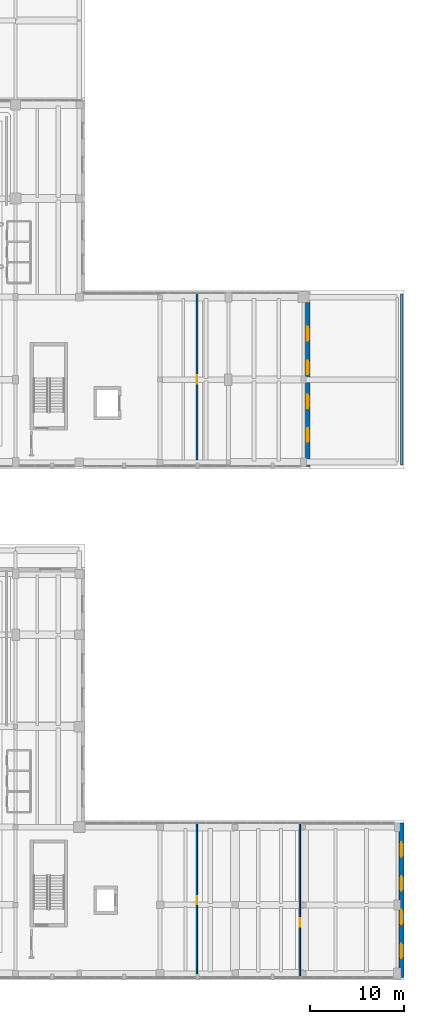
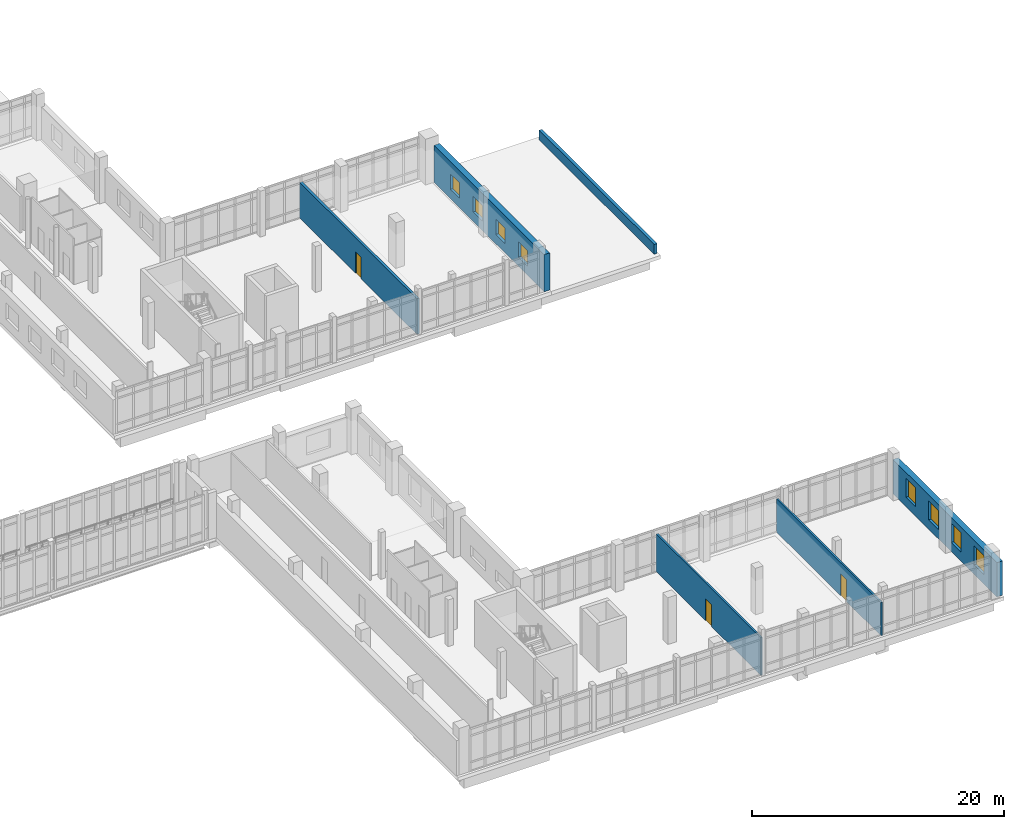
# One storey, part 73 of 89: 8 windows, 6 walls, 3 doors, 11 openings.
"""IFC4 building model written with IfcOpenShell, lengths in metres."""

from ifc_helpers import new_model, si_unit, direction, frame, frame_2d, origin, place, context, subcontext, project, spatial, rectangle, extrude, material, layer, layer_set, type_object, element, fill, save


model = new_model("IFC4")

# Units and contexts
model_context = context("Model", 3, precision=1e-05, world=origin(), true_north=direction((0.0, 1.0)))
body_context = subcontext(model_context, "Body", "Model", "MODEL_VIEW")
ifc_project = project(units=[si_unit("LENGTHUNIT", "METRE"), si_unit("AREAUNIT", "SQUARE_METRE"), si_unit("VOLUMEUNIT", "CUBIC_METRE"), si_unit("PLANEANGLEUNIT", "RADIAN"), si_unit("MASSUNIT", "GRAM", prefix="KILO")], contexts=[model_context])

# Site, building, storey
site_placement = place(None, origin())
site = spatial("IfcSite", under=ifc_project, at=site_placement, CompositionType="ELEMENT")
building_placement = place(site_placement, origin())
building = spatial("IfcBuilding", under=site, at=building_placement, Name="Soyqirgoq Riverine Aquarium", CompositionType="ELEMENT")
storey_placement = place(building_placement, frame((0.0, 0.0, 5.39990234375)))
storey = spatial("IfcBuildingStorey", under=building, at=storey_placement, Name="L02", CompositionType="ELEMENT", Elevation=5.39990234375)

# Wall
ifc_material_1 = material(Name="Precast concrete C40/50", Category="concrete")
ifc_layer_1 = layer(ifc_material_1, 0.280029296875)
ifc_layer_set_1 = layer_set([ifc_layer_1], Name="Precast concrete C40/50")
wall_type_1 = type_object("IfcWallType", Name="ParapetWall_280", PredefinedType="PARAPET", material=ifc_layer_set_1)
wall_1_placement = place(storey_placement, frame((163.780029296875, 74.6201171875, 0.0), z_axis=(0.0, 0.0, 1.0), x_axis=(0.0, -1.0, 0.0)))
element("IfcWall", 1, at=wall_1_placement, inside=storey, type_object=wall_type_1, Name="L02 Roof Parapet Upstand 007", PredefinedType="PARAPET", context=body_context, shape_type="SweptSolid", body=[
    extrude(rectangle(XDim=18.240234375, YDim=0.280029296875, at=frame_2d((9.1201171875, 0.0))), origin(), (0.0, 0.0, 1.0), 0.9501953125),
])

# Wall, opening, door
ifc_material_2 = material(Name="Fire-rated acoustic gypsum stud partition", Category="gypsum")
ifc_layer_2 = layer(ifc_material_2, 0.159912109375)
ifc_layer_set_2 = layer_set([ifc_layer_2], Name="Fire-rated acoustic gypsum stud partition")
wall_type_2 = type_object("IfcWallType", Name="PartitionWall_160_EI60", PredefinedType="PARTITIONING", material=ifc_layer_set_2)
wall_2_placement = place(storey_placement, frame((141.919921875, 1.699951171875, 0.0), z_axis=(0.0, 0.0, 1.0), x_axis=(0.0, 1.0, 0.0)))
wall_2 = element("IfcWall", 2, at=wall_2_placement, inside=storey, type_object=wall_type_2, Name="Discovery Classroom Partition Wall", PredefinedType="PARTITIONING", context=body_context, shape_type="SweptSolid", body=[
    extrude(rectangle(XDim=16.60009765625, YDim=0.159912109375, at=frame_2d((8.300048828125, 0.0))), origin(), (0.0, 0.0, 1.0), 3.66015625),
])
opening_1_placement = place(wall_2_placement, frame((7.85009765625, 0.0, 0.0)))
opening_1 = element("IfcOpeningElement", 3, at=opening_1_placement, cuts=wall_2, Name="Opening RD-01", PredefinedType="OPENING", context=body_context, shape_type="SweptSolid", body=[
    extrude(rectangle(XDim=0.89990234375, YDim=2.10009765625, at=frame_2d((0.449951171875, 1.050048828125))), frame((0.0, 0.08984375, 0.0), z_axis=(0.0, -1.0, 0.0), x_axis=(1.0, 0.0, 0.0)), (0.0, 0.0, 1.0), 0.179931640625),
])
ifc_material_3 = material(Name="Flush steel service riser fire door", Category="steel")
door_type = type_object("IfcDoorType", Name="RiserAccessDoor_900x2100_EI60", OperationType="NOTDEFINED", PredefinedType="DOOR", material=ifc_material_3)
door_1_placement = place(opening_1_placement, origin())
door_1 = element("IfcDoor", 4, at=door_1_placement, inside=storey, type_object=door_type, Name="IDR-V6-L02-0193 Wet Teaching Laboratory Access Door", OperationType="SINGLE_SWING_RIGHT", OverallHeight=2.10009765625, OverallWidth=0.89990234375, PredefinedType="DOOR", context=body_context, shape_type="SweptSolid", body=[
    extrude(rectangle(XDim=0.89990234375, YDim=2.10009765625, at=frame_2d((0.449951171875, 1.050048828125))), frame((0.0, 0.02490234375, 0.0), z_axis=(0.0, -1.0, 0.0), x_axis=(1.0, 0.0, 0.0)), (0.0, 0.0, 1.0), 0.050048828125),
])
fill(opening_1, door_1)

wall_3_placement = place(storey_placement, frame((152.919921875, 1.699951171875, 0.0), z_axis=(0.0, 0.0, 1.0), x_axis=(0.0, 1.0, 0.0)))
wall_3 = element("IfcWall", 5, at=wall_3_placement, inside=storey, type_object=wall_type_2, Name="Wet Teaching Laboratory Partition Wall", PredefinedType="PARTITIONING", context=body_context, shape_type="SweptSolid", body=[
    extrude(rectangle(XDim=16.60009765625, YDim=0.159912109375, at=frame_2d((8.300048828125, 0.0))), origin(), (0.0, 0.0, 1.0), 3.210205078125),
])
opening_2_placement = place(wall_3_placement, frame((5.4951171875, 0.0, 0.0)))
opening_2 = element("IfcOpeningElement", 6, at=opening_2_placement, cuts=wall_3, Name="Opening RD-01", PredefinedType="OPENING", context=body_context, shape_type="SweptSolid", body=[
    extrude(rectangle(XDim=0.89990234375, YDim=2.10009765625, at=frame_2d((0.449951171875, 1.050048828125))), frame((0.0, 0.08984375, 0.0), z_axis=(0.0, -1.0, 0.0), x_axis=(1.0, 0.0, 0.0)), (0.0, 0.0, 1.0), 0.179931640625),
])
door_2_placement = place(opening_2_placement, origin())
door_2 = element("IfcDoor", 7, at=door_2_placement, inside=storey, type_object=door_type, Name="IDR-V6-L02-0195 Youth Conservation Studio Access Door", OperationType="SINGLE_SWING_RIGHT", OverallHeight=2.10009765625, OverallWidth=0.89990234375, PredefinedType="DOOR", context=body_context, shape_type="SweptSolid", body=[
    extrude(rectangle(XDim=0.89990234375, YDim=2.10009765625, at=frame_2d((0.449951171875, 1.050048828125))), frame((0.0, 0.02490234375, 0.0), z_axis=(0.0, -1.0, 0.0), x_axis=(1.0, 0.0, 0.0)), (0.0, 0.0, 1.0), 0.050048828125),
])
fill(opening_2, door_2)

ifc_material_4 = material(Name="Fire-rated masonry shaft wall", Category="masonry")
ifc_layer_3 = layer(ifc_material_4, 0.219970703125)
ifc_layer_set_3 = layer_set([ifc_layer_3], Name="Fire-rated masonry shaft wall")
wall_type_3 = type_object("IfcWallType", Name="RiserShaftWall_220_EI120", PredefinedType="SOLIDWALL", material=ifc_layer_set_3)
wall_4_placement = place(storey_placement, frame((141.919921875, 56.199951171875, 0.0), z_axis=(0.0, 0.0, 1.0), x_axis=(0.0, 1.0, 0.0)))
wall_4 = element("IfcWall", 8, at=wall_4_placement, inside=storey, type_object=wall_type_3, Name="Marine Fish Quarantine Tank Room Partition Wall", PredefinedType="SOLIDWALL", context=body_context, shape_type="SweptSolid", body=[
    extrude(rectangle(XDim=18.60009765625, YDim=0.219970703125, at=frame_2d((9.300048828125, 0.0))), origin(), (0.0, 0.0, 1.0), 3.440185546875),
])
opening_3_placement = place(wall_4_placement, frame((8.85009765625, 0.0, 0.0)))
opening_3 = element("IfcOpeningElement", 9, at=opening_3_placement, cuts=wall_4, Name="Opening RD-01", PredefinedType="OPENING", context=body_context, shape_type="SweptSolid", body=[
    extrude(rectangle(XDim=0.89990234375, YDim=2.10009765625, at=frame_2d((0.449951171875, 1.050048828125))), frame((0.0, 0.1201171875, 0.0), z_axis=(0.0, -1.0, 0.0), x_axis=(1.0, 0.0, 0.0)), (0.0, 0.0, 1.0), 0.239990234375),
])
door_3_placement = place(opening_3_placement, origin())
door_3 = element("IfcDoor", 10, at=door_3_placement, inside=storey, type_object=door_type, Name="IDR-V7-L02-0231 Invertebrate Isolation Room Access Door", OperationType="SINGLE_SWING_LEFT", OverallHeight=2.10009765625, OverallWidth=0.89990234375, PredefinedType="DOOR", context=body_context, shape_type="SweptSolid", body=[
    extrude(rectangle(XDim=0.89990234375, YDim=2.10009765625, at=frame_2d((0.449951171875, 1.050048828125))), frame((0.0, 0.02490234375, 0.0), z_axis=(0.0, -1.0, 0.0), x_axis=(1.0, 0.0, 0.0)), (0.0, 0.0, 1.0), 0.050048828125),
])
fill(opening_3, door_3)

# Wall, openings, windows
ifc_material_5 = material(Name="Honed travertine limestone cavity wall", Category="masonry")
ifc_layer_4 = layer(ifc_material_5, 0.52001953125)
ifc_layer_set_4 = layer_set([ifc_layer_4], Name="Honed travertine limestone cavity wall")
wall_type_4 = type_object("IfcWallType", Name="TravertineCavityWall_520", PredefinedType="SOLIDWALL", material=ifc_layer_set_4)
wall_5_placement = place(storey_placement, frame((163.75, 18.25, 0.0), z_axis=(0.0, 0.0, 1.0), x_axis=(0.0, -1.0, 0.0)))
wall_5 = element("IfcWall", 11, at=wall_5_placement, inside=storey, type_object=wall_type_4, Name="V6 L02 Exterior Travertine Wall 0356", PredefinedType="SOLIDWALL", context=body_context, shape_type="SweptSolid", body=[
    extrude(rectangle(XDim=16.5, YDim=0.52001953125, at=frame_2d((8.25, 0.0))), origin(), (0.0, 0.0, 1.0), 3.31005859375),
])
opening_4_placement = place(wall_5_placement, frame((2.074951171875, 0.0, 0.89990234375)))
opening_4 = element("IfcOpeningElement", 12, at=opening_4_placement, cuts=wall_5, Name="Opening WN-18", PredefinedType="OPENING", context=body_context, shape_type="SweptSolid", body=[
    extrude(rectangle(XDim=1.550048828125, YDim=1.85009765625, at=frame_2d((0.77490234375, 0.925048828125))), frame((0.0, 0.27001953125, 0.0), z_axis=(0.0, -1.0, 0.0), x_axis=(1.0, 0.0, 0.0)), (0.0, 0.0, 1.0), 0.5400390625),
])
opening_5_placement = place(wall_5_placement, frame((5.675048828125, 0.0, 0.89990234375)))
opening_5 = element("IfcOpeningElement", 13, at=opening_5_placement, cuts=wall_5, Name="Opening WN-18", PredefinedType="OPENING", context=body_context, shape_type="SweptSolid", body=[
    extrude(rectangle(XDim=1.550048828125, YDim=1.85009765625, at=frame_2d((0.77490234375, 0.925048828125))), frame((0.0, 0.27001953125, 0.0), z_axis=(0.0, -1.0, 0.0), x_axis=(1.0, 0.0, 0.0)), (0.0, 0.0, 1.0), 0.5400390625),
])
opening_6_placement = place(wall_5_placement, frame((9.27490234375, 0.0, 0.89990234375)))
opening_6 = element("IfcOpeningElement", 14, at=opening_6_placement, cuts=wall_5, Name="Opening WN-18", PredefinedType="OPENING", context=body_context, shape_type="SweptSolid", body=[
    extrude(rectangle(XDim=1.550048828125, YDim=1.85009765625, at=frame_2d((0.77490234375, 0.925048828125))), frame((0.0, 0.27001953125, 0.0), z_axis=(0.0, -1.0, 0.0), x_axis=(1.0, 0.0, 0.0)), (0.0, 0.0, 1.0), 0.5400390625),
])
opening_7_placement = place(wall_5_placement, frame((12.875, 0.0, 0.89990234375)))
opening_7 = element("IfcOpeningElement", 15, at=opening_7_placement, cuts=wall_5, Name="Opening WN-18", PredefinedType="OPENING", context=body_context, shape_type="SweptSolid", body=[
    extrude(rectangle(XDim=1.550048828125, YDim=1.85009765625, at=frame_2d((0.77490234375, 0.925048828125))), frame((0.0, 0.27001953125, 0.0), z_axis=(0.0, -1.0, 0.0), x_axis=(1.0, 0.0, 0.0)), (0.0, 0.0, 1.0), 0.5400390625),
])
ifc_material_6 = material(Name="Thermally broken aluminium triple low-E window", Category="aluminium")
window_type_1 = type_object("IfcWindowType", Name="Win_Office_1550x1850", PartitioningType="DOUBLE_PANEL_VERTICAL", PredefinedType="WINDOW", material=ifc_material_6)
window_1_placement = place(opening_4_placement, origin())
window_1 = element("IfcWindow", 16, at=window_1_placement, inside=storey, type_object=window_type_1, Name="V6 L02 Facade Window 0290", OverallHeight=1.85009765625, OverallWidth=1.550048828125, PartitioningType="DOUBLE_PANEL_VERTICAL", PredefinedType="WINDOW", context=body_context, shape_type="SweptSolid", body=[
    extrude(rectangle(XDim=1.550048828125, YDim=1.85009765625, at=frame_2d((0.77490234375, 0.925048828125))), frame((0.0, 0.030029296875, 0.0), z_axis=(0.0, -1.0, 0.0), x_axis=(1.0, 0.0, 0.0)), (0.0, 0.0, 1.0), 0.06005859375),
])
fill(opening_4, window_1)
window_2_placement = place(opening_5_placement, origin())
window_2 = element("IfcWindow", 17, at=window_2_placement, inside=storey, type_object=window_type_1, Name="V6 L02 Facade Window 0291", OverallHeight=1.85009765625, OverallWidth=1.550048828125, PartitioningType="DOUBLE_PANEL_VERTICAL", PredefinedType="WINDOW", context=body_context, shape_type="SweptSolid", body=[
    extrude(rectangle(XDim=1.550048828125, YDim=1.85009765625, at=frame_2d((0.77490234375, 0.925048828125))), frame((0.0, 0.030029296875, 0.0), z_axis=(0.0, -1.0, 0.0), x_axis=(1.0, 0.0, 0.0)), (0.0, 0.0, 1.0), 0.06005859375),
])
fill(opening_5, window_2)
window_3_placement = place(opening_6_placement, origin())
window_3 = element("IfcWindow", 18, at=window_3_placement, inside=storey, type_object=window_type_1, Name="V6 L02 Facade Window 0292", OverallHeight=1.85009765625, OverallWidth=1.550048828125, PartitioningType="DOUBLE_PANEL_VERTICAL", PredefinedType="WINDOW", context=body_context, shape_type="SweptSolid", body=[
    extrude(rectangle(XDim=1.550048828125, YDim=1.85009765625, at=frame_2d((0.77490234375, 0.925048828125))), frame((0.0, 0.030029296875, 0.0), z_axis=(0.0, -1.0, 0.0), x_axis=(1.0, 0.0, 0.0)), (0.0, 0.0, 1.0), 0.06005859375),
])
fill(opening_6, window_3)
window_4_placement = place(opening_7_placement, origin())
window_4 = element("IfcWindow", 19, at=window_4_placement, inside=storey, type_object=window_type_1, Name="V6 L02 Facade Window 0293", OverallHeight=1.85009765625, OverallWidth=1.550048828125, PartitioningType="DOUBLE_PANEL_VERTICAL", PredefinedType="WINDOW", context=body_context, shape_type="SweptSolid", body=[
    extrude(rectangle(XDim=1.550048828125, YDim=1.85009765625, at=frame_2d((0.77490234375, 0.925048828125))), frame((0.0, 0.030029296875, 0.0), z_axis=(0.0, -1.0, 0.0), x_axis=(1.0, 0.0, 0.0)), (0.0, 0.0, 1.0), 0.06005859375),
])
fill(opening_7, window_4)

wall_6_placement = place(storey_placement, frame((153.75, 73.72998046875, 0.0), z_axis=(0.0, 0.0, 1.0), x_axis=(0.0, -1.0, 0.0)))
wall_6 = element("IfcWall", 20, at=wall_6_placement, inside=storey, type_object=wall_type_4, Name="V7 L02 Exterior Travertine Wall 0387", PredefinedType="SOLIDWALL", context=body_context, shape_type="SweptSolid", body=[
    extrude(rectangle(XDim=17.47998046875, YDim=0.52001953125, at=frame_2d((8.739990234375, 0.0))), origin(), (0.0, 0.0, 1.0), 3.590087890625),
])
opening_8_placement = place(wall_6_placement, frame((2.614990234375, 0.0, 0.89990234375)))
opening_8 = element("IfcOpeningElement", 21, at=opening_8_placement, cuts=wall_6, Name="Opening WN-15", PredefinedType="OPENING", context=body_context, shape_type="SweptSolid", body=[
    extrude(rectangle(XDim=1.449951171875, YDim=1.5, at=frame_2d((0.72509765625, 0.75))), frame((0.0, 0.27001953125, 0.0), z_axis=(0.0, -1.0, 0.0), x_axis=(1.0, 0.0, 0.0)), (0.0, 0.0, 1.0), 0.5400390625),
])
opening_9_placement = place(wall_6_placement, frame((6.215087890625, 0.0, 0.89990234375)))
opening_9 = element("IfcOpeningElement", 22, at=opening_9_placement, cuts=wall_6, Name="Opening WN-15", PredefinedType="OPENING", context=body_context, shape_type="SweptSolid", body=[
    extrude(rectangle(XDim=1.449951171875, YDim=1.5, at=frame_2d((0.72509765625, 0.75))), frame((0.0, 0.27001953125, 0.0), z_axis=(0.0, -1.0, 0.0), x_axis=(1.0, 0.0, 0.0)), (0.0, 0.0, 1.0), 0.5400390625),
])
opening_10_placement = place(wall_6_placement, frame((9.81494140625, 0.0, 0.89990234375)))
opening_10 = element("IfcOpeningElement", 23, at=opening_10_placement, cuts=wall_6, Name="Opening WN-15", PredefinedType="OPENING", context=body_context, shape_type="SweptSolid", body=[
    extrude(rectangle(XDim=1.449951171875, YDim=1.5, at=frame_2d((0.72509765625, 0.75))), frame((0.0, 0.27001953125, 0.0), z_axis=(0.0, -1.0, 0.0), x_axis=(1.0, 0.0, 0.0)), (0.0, 0.0, 1.0), 0.5400390625),
])
opening_11_placement = place(wall_6_placement, frame((13.4150390625, 0.0, 0.89990234375)))
opening_11 = element("IfcOpeningElement", 24, at=opening_11_placement, cuts=wall_6, Name="Opening WN-15", PredefinedType="OPENING", context=body_context, shape_type="SweptSolid", body=[
    extrude(rectangle(XDim=1.449951171875, YDim=1.5, at=frame_2d((0.72509765625, 0.75))), frame((0.0, 0.27001953125, 0.0), z_axis=(0.0, -1.0, 0.0), x_axis=(1.0, 0.0, 0.0)), (0.0, 0.0, 1.0), 0.5400390625),
])
ifc_material_7 = material(Name="Thermally broken aluminium triple low-E window", Category="aluminium")
window_type_2 = type_object("IfcWindowType", Name="Win_Lab_1450x1500", PartitioningType="DOUBLE_PANEL_VERTICAL", PredefinedType="WINDOW", material=ifc_material_7)
window_5_placement = place(opening_8_placement, origin())
window_5 = element("IfcWindow", 25, at=window_5_placement, inside=storey, type_object=window_type_2, Name="V7 L02 Facade Window 0344", OverallHeight=1.5, OverallWidth=1.449951171875, PartitioningType="DOUBLE_PANEL_VERTICAL", PredefinedType="WINDOW", context=body_context, shape_type="SweptSolid", body=[
    extrude(rectangle(XDim=1.449951171875, YDim=1.5, at=frame_2d((0.72509765625, 0.75))), frame((0.0, 0.030029296875, 0.0), z_axis=(0.0, -1.0, 0.0), x_axis=(1.0, 0.0, 0.0)), (0.0, 0.0, 1.0), 0.06005859375),
])
fill(opening_8, window_5)
window_6_placement = place(opening_9_placement, origin())
window_6 = element("IfcWindow", 26, at=window_6_placement, inside=storey, type_object=window_type_2, Name="V7 L02 Facade Window 0345", OverallHeight=1.5, OverallWidth=1.449951171875, PartitioningType="DOUBLE_PANEL_VERTICAL", PredefinedType="WINDOW", context=body_context, shape_type="SweptSolid", body=[
    extrude(rectangle(XDim=1.449951171875, YDim=1.5, at=frame_2d((0.72509765625, 0.75))), frame((0.0, 0.030029296875, 0.0), z_axis=(0.0, -1.0, 0.0), x_axis=(1.0, 0.0, 0.0)), (0.0, 0.0, 1.0), 0.06005859375),
])
fill(opening_9, window_6)
window_7_placement = place(opening_10_placement, origin())
window_7 = element("IfcWindow", 27, at=window_7_placement, inside=storey, type_object=window_type_2, Name="V7 L02 Facade Window 0346", OverallHeight=1.5, OverallWidth=1.449951171875, PartitioningType="DOUBLE_PANEL_VERTICAL", PredefinedType="WINDOW", context=body_context, shape_type="SweptSolid", body=[
    extrude(rectangle(XDim=1.449951171875, YDim=1.5, at=frame_2d((0.72509765625, 0.75))), frame((0.0, 0.030029296875, 0.0), z_axis=(0.0, -1.0, 0.0), x_axis=(1.0, 0.0, 0.0)), (0.0, 0.0, 1.0), 0.06005859375),
])
fill(opening_10, window_7)
window_8_placement = place(opening_11_placement, origin())
window_8 = element("IfcWindow", 28, at=window_8_placement, inside=storey, type_object=window_type_2, Name="V7 L02 Facade Window 0347", OverallHeight=1.5, OverallWidth=1.449951171875, PartitioningType="DOUBLE_PANEL_VERTICAL", PredefinedType="WINDOW", context=body_context, shape_type="SweptSolid", body=[
    extrude(rectangle(XDim=1.449951171875, YDim=1.5, at=frame_2d((0.72509765625, 0.75))), frame((0.0, 0.030029296875, 0.0), z_axis=(0.0, -1.0, 0.0), x_axis=(1.0, 0.0, 0.0)), (0.0, 0.0, 1.0), 0.06005859375),
])
fill(opening_11, window_8)

save(model, "model.ifc")
